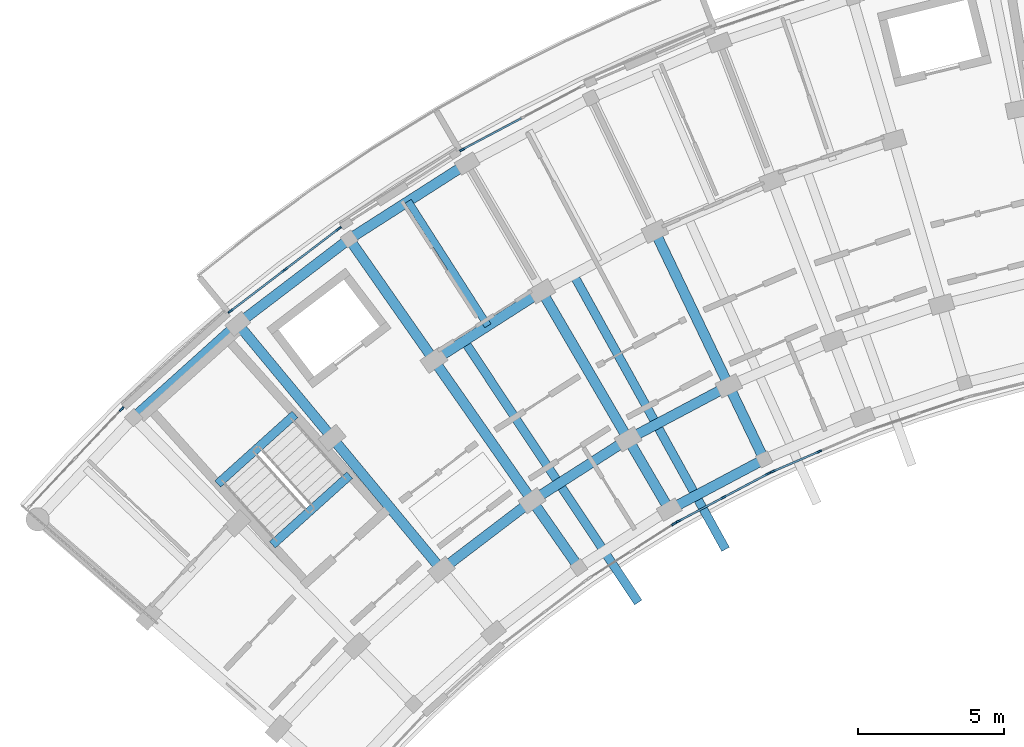
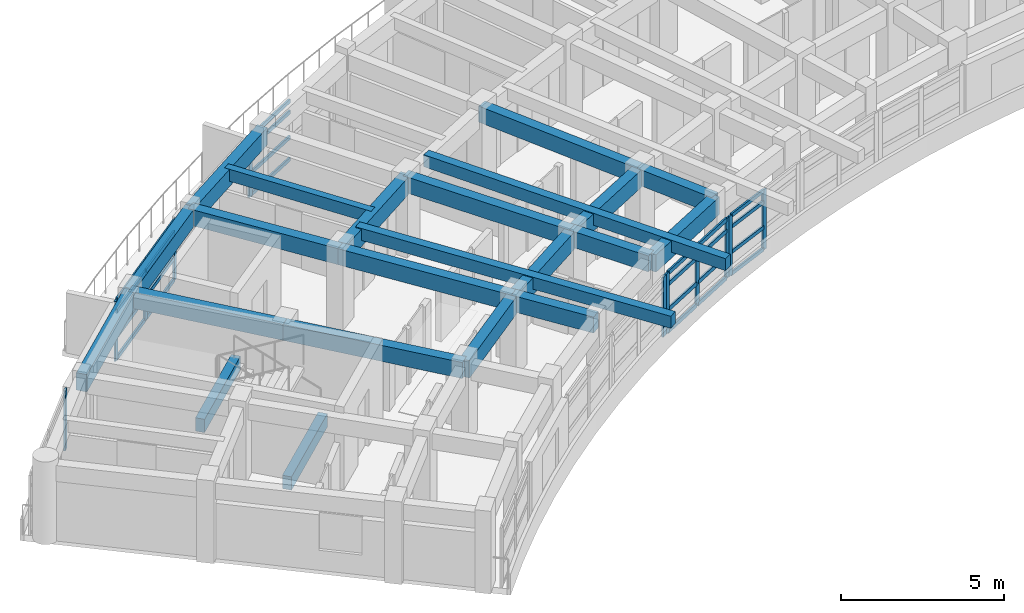
# One storey, part 4 of 55: 35 members, 22 beams, 6 elements without a shape of their own.
"""IFC4 building model written with IfcOpenShell, lengths in metres."""

import ifcopenshell
import ifcopenshell.guid

model = None  # the IFC model being written
_history = None  # IfcOwnerHistory: only IFC2X3 demands one
_inside = {}  # id of a spatial element -> (the spatial element, [elements in it])
_under = {}  # id of a project, library or spatial element -> (it, [spatial elements below it])
_declared = {}  # id of a project -> (the project, [libraries it declares])
_typed = {}  # id of a type object -> (the type object, [elements of that type])
_made_of = {}  # id of a material, layer set ... -> (it, [elements and type objects made of it])


def new_model(schema):
    """Start an empty IFC model of exactly this schema.

    Asked for "IFC4X3", IfcOpenShell would pick the latest addendum, in which some entities
    have other attributes; the version numbers below select the first issue.
    IFC2X3 requires an IfcOwnerHistory on every rooted entity: one is made here for all.
    """
    global model, _history
    if schema == "IFC4X3":
        model = ifcopenshell.file(schema_version=(4, 3, 0, 0))
    else:
        model = ifcopenshell.file(schema=schema)
    _inside.clear()
    _under.clear()
    _declared.clear()
    _typed.clear()
    _made_of.clear()
    _history = None
    if model.schema == "IFC2X3":
        org = make("IfcOrganization", Name="unknown")
        user = make(
            "IfcPersonAndOrganization",
            ThePerson=make("IfcPerson", FamilyName="unknown"),
            TheOrganization=org,
        )
        app = make(
            "IfcApplication",
            ApplicationDeveloper=org,
            Version="unknown",
            ApplicationFullName="unknown",
            ApplicationIdentifier="unknown",
        )
        _history = make(
            "IfcOwnerHistory",
            OwningUser=user,
            OwningApplication=app,
            ChangeAction="ADDED",
            CreationDate=0,
        )
    return model


def make(cls, **values):
    """One entity of the class cls with the attributes given. An attribute that is None is left unset."""
    return model.create_entity(
        cls, **{name: value for name, value in values.items() if value is not None}
    )


def rooted(cls, **values):
    """An entity with a GlobalId (a new one), such as an element, a storey or a relation."""
    return make(cls, GlobalId=ifcopenshell.guid.new(), OwnerHistory=_history, **values)


def si_unit(unit_type, name, prefix=None):
    """IfcSIUnit, for example si_unit("LENGTHUNIT", "METRE", prefix="MILLI")."""
    return make("IfcSIUnit", UnitType=unit_type, Prefix=prefix, Name=name)


def assignment(units):
    """IfcUnitAssignment: the units of a project."""
    return None if units is None else make("IfcUnitAssignment", Units=units)


def point(xyz):
    """IfcCartesianPoint."""
    return None if xyz is None else make("IfcCartesianPoint", Coordinates=xyz)


def direction(xyz):
    """IfcDirection."""
    return None if xyz is None else make("IfcDirection", DirectionRatios=xyz)


def frame(location, z_axis=None, x_axis=None):
    """IfcAxis2Placement3D, a coordinate frame: its origin and axes. An axis left out is left unset."""
    return make(
        "IfcAxis2Placement3D",
        Location=point(location),
        Axis=direction(z_axis),
        RefDirection=direction(x_axis),
    )


def frame_2d(location, x_axis=None):
    """IfcAxis2Placement2D, a coordinate frame in the plane: its origin and x axis."""
    return make(
        "IfcAxis2Placement2D", Location=point(location), RefDirection=direction(x_axis)
    )


def origin():
    """The frame at (0, 0, 0) with its axes left unset."""
    return frame((0.0, 0.0, 0.0))


def origin_2d():
    """The frame at (0, 0) in the plane with its x axis left unset."""
    return frame_2d((0.0, 0.0))


def place(relative_to, where):
    """IfcLocalPlacement: puts the frame where relative to a parent placement (None: the world)."""
    return make(
        "IfcLocalPlacement", PlacementRelTo=relative_to, RelativePlacement=where
    )


def context(
    kind, dimensions, precision=None, world=None, true_north=None, identifier=None
):
    """IfcGeometricRepresentationContext, for example the 3D "Model" context."""
    return make(
        "IfcGeometricRepresentationContext",
        ContextIdentifier=identifier,
        ContextType=kind,
        CoordinateSpaceDimension=dimensions,
        Precision=precision,
        WorldCoordinateSystem=world,
        TrueNorth=true_north,
    )


def subcontext(parent, identifier, kind, view, scale=None):
    """IfcGeometricRepresentationSubContext, for example "Body" below "Model"."""
    return make(
        "IfcGeometricRepresentationSubContext",
        ContextIdentifier=identifier,
        ContextType=kind,
        ParentContext=parent,
        TargetScale=scale,
        TargetView=view,
    )


def project(units=None, contexts=None):
    """IfcProject with its units and contexts."""
    return rooted(
        "IfcProject",
        Name="project",
        RepresentationContexts=contexts,
        UnitsInContext=assignment(units),
    )


def spatial(cls, under=None, at=None, **own):
    """A site, building, storey or space (cls), placed at a placement, below another one or the project."""
    s = rooted(cls, ObjectPlacement=at, **own)
    if under is not None:
        _under.setdefault(under.id(), (under, []))[1].append(s)
    return s


def profile(cls, at=None, kind="AREA", **sizes):
    """A parametric profile (cls). Its sizes go by their IFC names, for example OverallWidth=200.0."""
    return make(cls, ProfileType=kind, Position=at, **sizes)


def rectangle(**sizes):
    """IfcRectangleProfileDef."""
    return profile("IfcRectangleProfileDef", **sizes)


def extrude(swept, where, along, depth):
    """IfcExtrudedAreaSolid: the profile swept, set in the frame where, extruded along a direction by depth."""
    return make(
        "IfcExtrudedAreaSolid",
        SweptArea=swept,
        Position=where,
        ExtrudedDirection=direction(along),
        Depth=depth,
    )


def shape(context_of_items, identifier, shape_type, items):
    """IfcShapeRepresentation: the items that make up one representation, for example the "Body"."""
    return make(
        "IfcShapeRepresentation",
        ContextOfItems=context_of_items,
        RepresentationIdentifier=identifier,
        RepresentationType=shape_type,
        Items=items,
    )


def material(Name=None, Category=None):
    """IfcMaterial."""
    return make("IfcMaterial", Name=Name, Category=Category)


def material_profile(
    of_material, cross_section, Name=None, Category=None, Priority=None
):
    """IfcMaterialProfile: a cross section and its material."""
    return make(
        "IfcMaterialProfile",
        Name=Name,
        Material=of_material,
        Profile=cross_section,
        Priority=Priority,
        Category=Category,
    )


def profile_set(profiles, Name=None, composite=None):
    """IfcMaterialProfileSet."""
    return make(
        "IfcMaterialProfileSet",
        Name=Name,
        MaterialProfiles=profiles,
        CompositeProfile=composite,
    )


def made_of(thing, what):
    """Note that an element or type object is made of a material, layer set ...; save() writes the relation."""
    if what is not None:
        _made_of.setdefault(what.id(), (what, []))[1].append(thing)
    return thing


def type_object(cls, material=None, **own):
    """A type object (cls), such as IfcWallType, which elements share."""
    return made_of(rooted(cls, **own), material)


def element(
    cls,
    number,
    at=None,
    inside=None,
    cuts=None,
    type_object=None,
    material=None,
    context=None,
    identifier="Body",
    shape_type=None,
    held_by="IfcProductDefinitionShape",
    body=None,
    shapes=None,
    **own,
):
    """One element of the class cls, such as IfcWall. Its Tag is "e" and its number.

    at: its placement. inside: the storey or other place that contains it. cuts: it is an
    opening in that element (IfcRelVoidsElement). A single representation is given by context,
    identifier, shape_type and body (its items); several are given by shapes. held_by: the class
    of the entity that holds the representations. save() writes the other relations.
    """
    e = rooted(cls, Tag="e%d" % number, ObjectPlacement=at, **own)
    if body is not None:
        shapes = [shape(context, identifier, shape_type, body)]
    if shapes is not None:
        e.Representation = make(held_by, Representations=shapes)
    if inside is not None:
        _inside.setdefault(inside.id(), (inside, []))[1].append(e)
    if cuts is not None:
        rooted(
            "IfcRelVoidsElement", RelatingBuildingElement=cuts, RelatedOpeningElement=e
        )
    if type_object is not None:
        _typed.setdefault(type_object.id(), (type_object, []))[1].append(e)
    return made_of(e, material)


def aggregate(whole, parts):
    """IfcRelAggregates: a whole, such as a stair, and the parts it consists of."""
    return rooted("IfcRelAggregates", RelatingObject=whole, RelatedObjects=parts)


def save(model, path):
    """Write the relations noted so far, then the file.

    IfcRelAggregates (storeys below a building ...), IfcRelContainedInSpatialStructure (elements
    in a storey), IfcRelDefinesByType, IfcRelAssociatesMaterial and IfcRelDeclares: one each for
    every whole, place, type object, material and project.
    """
    for whole, parts in _under.values():
        aggregate(whole, parts)
    for where, things in _inside.values():
        rooted(
            "IfcRelContainedInSpatialStructure",
            RelatedElements=things,
            RelatingStructure=where,
        )
    for kind, things in _typed.values():
        rooted("IfcRelDefinesByType", RelatedObjects=things, RelatingType=kind)
    for what, things in _made_of.values():
        rooted("IfcRelAssociatesMaterial", RelatedObjects=things, RelatingMaterial=what)
    for by, libraries in _declared.values():
        rooted("IfcRelDeclares", RelatingContext=by, RelatedDefinitions=libraries)
    model.write(path)


model = new_model("IFC4")

# Units and contexts
model_context = context("Model", 3, precision=1e-05, world=origin(), true_north=direction((0.0, 1.0)))
body_context = subcontext(model_context, "Body", "Model", "MODEL_VIEW")
ifc_project = project(units=[si_unit("LENGTHUNIT", "METRE"), si_unit("AREAUNIT", "SQUARE_METRE"), si_unit("VOLUMEUNIT", "CUBIC_METRE"), si_unit("PLANEANGLEUNIT", "RADIAN"), si_unit("MASSUNIT", "GRAM", prefix="KILO")], contexts=[model_context])

# Site, building, storey
site_placement = place(None, origin())
site = spatial("IfcSite", under=ifc_project, at=site_placement, CompositionType="ELEMENT")
building_placement = place(site_placement, origin())
building = spatial("IfcBuilding", under=site, at=building_placement, Name="Zimvara Arc Housing Community", CompositionType="ELEMENT")
storey_placement = place(building_placement, frame((0.0, 0.0, 14.300048828125)))
storey = spatial("IfcBuildingStorey", under=building, at=storey_placement, Name="L04", CompositionType="ELEMENT", Elevation=14.300048828125)

# Beams
ifc_material_1 = material(Name="Concrete C40/50", Category="concrete")
ifc_material_profile_1 = material_profile(ifc_material_1, rectangle(XDim=0.25, YDim=0.449951171875, at=origin_2d()), Name="RC 250x450")
ifc_profile_set_1 = profile_set([ifc_material_profile_1], Name="Concrete C40/50")
beam_type_1 = type_object("IfcBeamType", Name="BM-RC-250x450", PredefinedType="JOIST", material=ifc_profile_set_1)
beam_1_placement = place(storey_placement, frame((16.0224609375, 89.776123046875, 2.635009765625), z_axis=(-0.539052331508, 0.842272274206, 0.0), x_axis=(-0.842272274206, -0.539052331508, 0.0)))
element("IfcBeam", 1, at=beam_1_placement, inside=storey, type_object=beam_type_1, Name="bm:blkA:L04:joist:b3", PredefinedType="JOIST", context=body_context, shape_type="SweptSolid", body=[
    extrude(rectangle(XDim=0.25, YDim=0.449951171875, at=origin_2d()), origin(), (0.0, 0.0, 1.0), 5.07568359375),
])
ifc_material_2 = material(Name="Concrete C40/50", Category="concrete")
ifc_material_profile_2 = material_profile(ifc_material_2, rectangle(XDim=0.300048828125, YDim=0.449951171875, at=origin_2d()), Name="RC 300x450")
ifc_profile_set_2 = profile_set([ifc_material_profile_2], Name="Concrete C40/50")
beam_type_2 = type_object("IfcBeamType", Name="BM-RC-300x450", PredefinedType="JOIST", material=ifc_profile_set_2)
for number, where, z_axis, x_axis, name in (
    (2, (15.188720703125, 89.285400390625, 2.6650390625), (0.55411687771, -0.832438878139, 0.0), (0.832438878139, 0.55411687771, 0.0), "bm:blkA:L04:cant_in:b3"),
    (3, (18.942138671875, 91.568359375, 2.6650390625), (0.484356901768, -0.874870499965, 0.0), (0.874870499965, 0.484356901768, 0.0), "bm:blkA:L04:cant_in:b4"),
):
    element("IfcBeam", number, at=place(storey_placement, frame(where, z_axis=z_axis, x_axis=x_axis)), inside=storey, type_object=beam_type_2, Name=name, PredefinedType="JOIST", context=body_context, shape_type="SweptSolid", body=[
        extrude(rectangle(XDim=0.300048828125, YDim=0.449951171875, at=origin_2d()), origin(), (0.0, 0.0, 1.0), 10.820068359375),
    ])
ifc_material_3 = material(Name="Concrete C40/50", Category="concrete")
ifc_material_profile_3 = material_profile(ifc_material_3, rectangle(XDim=0.300048828125, YDim=0.5, at=origin_2d()), Name="RC 300x500")
ifc_profile_set_3 = profile_set([ifc_material_profile_3], Name="Concrete C40/50")
beam_type_3 = type_object("IfcBeamType", Name="BM-RC-300x500", PredefinedType="BEAM", material=ifc_profile_set_3)
for number, where, z_axis, x_axis, name in (
    (4, (11.278076171875, 84.64697265625, -0.25), (-0.743362151162, -0.668889162881, 0.0), (0.668889162881, -0.743362151162, 0.0), "bm:stair_trim:ST-A1:L04:near"),
    (5, (9.39990234375, 86.734375, 1.300048828125), (-0.743362151162, -0.668889162881, 0.0), (0.668889162881, -0.743362151162, 0.0), "bm:stair_trim:ST-A1:L04:mid"),
):
    element("IfcBeam", number, at=place(storey_placement, frame(where, z_axis=z_axis, x_axis=x_axis)), inside=storey, type_object=beam_type_3, Name=name, PredefinedType="BEAM", context=body_context, shape_type="SweptSolid", body=[
        extrude(rectangle(XDim=0.300048828125, YDim=0.5, at=origin_2d()), origin(), (0.0, 0.0, 1.0), 3.570068359375),
    ])
ifc_material_4 = material(Name="Concrete C40/50", Category="concrete")
ifc_material_profile_4 = material_profile(ifc_material_4, rectangle(XDim=0.35009765625, YDim=0.60009765625, at=origin_2d()), Name="RC 350x600")
ifc_profile_set_4 = profile_set([ifc_material_profile_4], Name="Concrete C40/50")
beam_type_4 = type_object("IfcBeamType", Name="BM-RC-350x600", PredefinedType="BEAM", material=ifc_profile_set_4)
beam_2_placement = place(storey_placement, frame((14.428955078125, 81.401611328125, 2.56005859375), z_axis=(-0.637955964415, 0.770072845559, 0.0), x_axis=(-0.770072845559, -0.637955964415, 0.0)))
element("IfcBeam", 6, at=beam_2_placement, inside=storey, type_object=beam_type_4, Name="bm:blkA:L04:rad:b2:r12", PredefinedType="BEAM", context=body_context, shape_type="SweptSolid", body=[
    extrude(rectangle(XDim=0.35009765625, YDim=0.60009765625, at=origin_2d()), origin(), (0.0, 0.0, 1.0), 5.880126953125),
])
beam_3_placement = place(storey_placement, frame((10.677734375, 85.9296875, 2.56005859375), z_axis=(-0.637983669165, 0.77004989311, 0.0), x_axis=(-0.77004989311, -0.637983669165, 0.0)))
element("IfcBeam", 7, at=beam_3_placement, inside=storey, type_object=beam_type_4, Name="bm:blkA:L04:rad:b2:r23", PredefinedType="BEAM", context=body_context, shape_type="SweptSolid", body=[
    extrude(rectangle(XDim=0.35009765625, YDim=0.60009765625, at=origin_2d()), origin(), (0.0, 0.0, 1.0), 5.080078125),
])
beam_4_placement = place(storey_placement, frame((19.14599609375, 81.478271484375, 2.56005859375), z_axis=(-0.57297651105, 0.819571789281, 0.0), x_axis=(-0.819571789281, -0.57297651105, 0.0)))
element("IfcBeam", 8, at=beam_4_placement, inside=storey, type_object=beam_type_4, Name="bm:blkA:L04:rad:b3:r01", PredefinedType="BEAM", context=body_context, shape_type="SweptSolid", body=[
    extrude(rectangle(XDim=0.35009765625, YDim=0.60009765625, at=origin_2d()), origin(), (0.0, 0.0, 1.0), 2.7998046875),
])
beam_5_placement = place(storey_placement, frame((17.541748046875, 83.77294921875, 2.56005859375), z_axis=(-0.573027549978, 0.819536104736, 0.0), x_axis=(-0.819536104736, -0.573027549978, 0.0)))
element("IfcBeam", 9, at=beam_5_placement, inside=storey, type_object=beam_type_4, Name="bm:blkA:L04:rad:b3:r12", PredefinedType="BEAM", context=body_context, shape_type="SweptSolid", body=[
    extrude(rectangle(XDim=0.35009765625, YDim=0.60009765625, at=origin_2d()), origin(), (0.0, 0.0, 1.0), 5.8798828125),
])
beam_6_placement = place(storey_placement, frame((14.17236328125, 88.591796875, 2.56005859375), z_axis=(-0.573007469479, 0.819550144848, 0.0), x_axis=(-0.819550144848, -0.573007469479, 0.0)))
element("IfcBeam", 10, at=beam_6_placement, inside=storey, type_object=beam_type_4, Name="bm:blkA:L04:rad:b3:r23", PredefinedType="BEAM", context=body_context, shape_type="SweptSolid", body=[
    extrude(rectangle(XDim=0.35009765625, YDim=0.60009765625, at=origin_2d()), origin(), (0.0, 0.0, 1.0), 5.080078125),
])
beam_7_placement = place(storey_placement, frame((22.249267578125, 83.46435546875, 2.56005859375), z_axis=(-0.504239631668, 0.86356377521, 0.0), x_axis=(-0.86356377521, -0.504239631668, 0.0)))
element("IfcBeam", 11, at=beam_7_placement, inside=storey, type_object=beam_type_4, Name="bm:blkA:L04:rad:b4:r01", PredefinedType="BEAM", context=body_context, shape_type="SweptSolid", body=[
    extrude(rectangle(XDim=0.35009765625, YDim=0.60009765625, at=origin_2d()), origin(), (0.0, 0.0, 1.0), 2.800048828125),
])
beam_8_placement = place(storey_placement, frame((20.83740234375, 85.88232421875, 2.56005859375), z_axis=(-0.504219494781, 0.863575532934, 0.0), x_axis=(-0.863575532934, -0.504219494781, 0.0)))
element("IfcBeam", 12, at=beam_8_placement, inside=storey, type_object=beam_type_4, Name="bm:blkA:L04:rad:b4:r12", PredefinedType="BEAM", context=body_context, shape_type="SweptSolid", body=[
    extrude(rectangle(XDim=0.35009765625, YDim=0.60009765625, at=origin_2d()), origin(), (0.0, 0.0, 1.0), 5.880126953125),
])
beam_9_placement = place(storey_placement, frame((25.50439453125, 85.190673828125, 2.56005859375), z_axis=(-0.432118703138, 0.901816736593, 0.0), x_axis=(-0.901816736593, -0.432118703138, 0.0)))
element("IfcBeam", 13, at=beam_9_placement, inside=storey, type_object=beam_type_4, Name="bm:blkA:L04:rad:b5:r01", PredefinedType="BEAM", context=body_context, shape_type="SweptSolid", body=[
    extrude(rectangle(XDim=0.35009765625, YDim=0.60009765625, at=origin_2d()), origin(), (0.0, 0.0, 1.0), 2.800048828125),
])
beam_10_placement = place(storey_placement, frame((24.29443359375, 87.7158203125, 2.56005859375), z_axis=(-0.432069527705, 0.901840298073, 0.0), x_axis=(-0.901840298073, -0.432069527705, 0.0)))
element("IfcBeam", 14, at=beam_10_placement, inside=storey, type_object=beam_type_4, Name="bm:blkA:L04:rad:b5:r12", PredefinedType="BEAM", context=body_context, shape_type="SweptSolid", body=[
    extrude(rectangle(XDim=0.35009765625, YDim=0.60009765625, at=origin_2d()), origin(), (0.0, 0.0, 1.0), 5.8798828125),
])
ifc_material_5 = material(Name="Concrete C40/50", Category="concrete")
ifc_material_profile_5 = material_profile(ifc_material_5, rectangle(XDim=0.35009765625, YDim=0.64990234375, at=origin_2d()), Name="RC 350x650")
ifc_profile_set_5 = profile_set([ifc_material_profile_5], Name="Concrete C40/50")
beam_type_5 = type_object("IfcBeamType", Name="BM-RC-350x650", PredefinedType="BEAM", material=ifc_profile_set_5)
beam_11_placement = place(storey_placement, frame((22.249267578125, 83.46435546875, 2.534912109375), z_axis=(0.883449220086, 0.468526920815, 0.0), x_axis=(-0.468526920815, 0.883449220086, 0.0)))
element("IfcBeam", 15, at=beam_11_placement, inside=storey, type_object=beam_type_5, Name="bm:blkA:L04:chord:r0:b4", PredefinedType="BEAM", context=body_context, shape_type="SweptSolid", body=[
    extrude(rectangle(XDim=0.35009765625, YDim=0.64990234375, at=origin_2d()), origin(), (0.0, 0.0, 1.0), 3.6845703125),
])
beam_12_placement = place(storey_placement, frame((14.428955078125, 81.401611328125, 2.534912109375), z_axis=(0.795470387579, 0.605992460749, 0.0), x_axis=(-0.605992460749, 0.795470387579, 0.0)))
element("IfcBeam", 16, at=beam_12_placement, inside=storey, type_object=beam_type_5, Name="bm:blkA:L04:chord:r1:b2", PredefinedType="BEAM", context=body_context, shape_type="SweptSolid", body=[
    extrude(rectangle(XDim=0.35009765625, YDim=0.64990234375, at=origin_2d()), origin(), (0.0, 0.0, 1.0), 3.9130859375),
])
beam_13_placement = place(storey_placement, frame((17.541748046875, 83.77294921875, 2.534912109375), z_axis=(0.842253269878, 0.539082024724, 0.0), x_axis=(-0.539082024724, 0.842253269878, 0.0)))
element("IfcBeam", 17, at=beam_13_placement, inside=storey, type_object=beam_type_5, Name="bm:blkA:L04:chord:r1:b3", PredefinedType="BEAM", context=body_context, shape_type="SweptSolid", body=[
    extrude(rectangle(XDim=0.35009765625, YDim=0.64990234375, at=origin_2d()), origin(), (0.0, 0.0, 1.0), 3.912841796875),
])
beam_14_placement = place(storey_placement, frame((20.83740234375, 85.88232421875, 2.534912109375), z_axis=(0.883438625159, 0.468546897948, 0.0), x_axis=(-0.468546897948, 0.883438625159, 0.0)))
element("IfcBeam", 18, at=beam_14_placement, inside=storey, type_object=beam_type_5, Name="bm:blkA:L04:chord:r1:b4", PredefinedType="BEAM", context=body_context, shape_type="SweptSolid", body=[
    extrude(rectangle(XDim=0.35009765625, YDim=0.64990234375, at=origin_2d()), origin(), (0.0, 0.0, 1.0), 3.9130859375),
])
beam_15_placement = place(storey_placement, frame((14.17236328125, 88.591796875, 2.534912109375), z_axis=(0.842242131326, 0.539099427025, 0.0), x_axis=(-0.539099427025, 0.842242131326, 0.0)))
element("IfcBeam", 19, at=beam_15_placement, inside=storey, type_object=beam_type_5, Name="bm:blkA:L04:chord:r2:b3", PredefinedType="BEAM", context=body_context, shape_type="SweptSolid", body=[
    extrude(rectangle(XDim=0.35009765625, YDim=0.64990234375, at=origin_2d()), origin(), (0.0, 0.0, 1.0), 4.393310546875),
])
beam_16_placement = place(storey_placement, frame((3.862548828125, 86.625732421875, 2.534912109375), z_axis=(0.743395133402, 0.668852506637, 0.0), x_axis=(-0.668852506637, 0.743395133402, 0.0)))
element("IfcBeam", 20, at=beam_16_placement, inside=storey, type_object=beam_type_5, Name="bm:blkA:L04:chord:r3:b1", PredefinedType="BEAM", context=body_context, shape_type="SweptSolid", body=[
    extrude(rectangle(XDim=0.35009765625, YDim=0.64990234375, at=origin_2d()), origin(), (0.0, 0.0, 1.0), 4.807861328125),
])
beam_17_placement = place(storey_placement, frame((7.436767578125, 89.841552734375, 2.534912109375), z_axis=(0.795480673672, 0.605978958228, 0.0), x_axis=(-0.605978958228, 0.795480673672, 0.0)))
element("IfcBeam", 21, at=beam_17_placement, inside=storey, type_object=beam_type_5, Name="bm:blkA:L04:chord:r3:b2", PredefinedType="BEAM", context=body_context, shape_type="SweptSolid", body=[
    extrude(rectangle(XDim=0.35009765625, YDim=0.64990234375, at=origin_2d()), origin(), (0.0, 0.0, 1.0), 4.80810546875),
])
beam_18_placement = place(storey_placement, frame((11.261474609375, 92.755126953125, 2.534912109375), z_axis=(0.842255724028, 0.539078190379, 0.0), x_axis=(-0.539078190379, 0.842255724028, 0.0)))
element("IfcBeam", 22, at=beam_18_placement, inside=storey, type_object=beam_type_5, Name="bm:blkA:L04:chord:r3:b3", PredefinedType="BEAM", context=body_context, shape_type="SweptSolid", body=[
    extrude(rectangle(XDim=0.35009765625, YDim=0.64990234375, at=origin_2d()), origin(), (0.0, 0.0, 1.0), 4.808349609375),
])

# Curtain wall, member
ifc_material_6 = material(Name="Anodised Aluminium AW-6063", Category="aluminium")
curtain_wall_type_1 = type_object("IfcCurtainWallType", Name="CW-SYS-02", PredefinedType="USERDEFINED", material=ifc_material_6)
curtain_wall_1_placement = place(storey_placement, origin())
curtain_wall_1 = element("IfcCurtainWall", 23, at=curtain_wall_1_placement, inside=storey, type_object=curtain_wall_type_1, Name="cw:blkA:L04:out:b4", ObjectType="CURTAIN WALL", PredefinedType="USERDEFINED")
ifc_material_7 = material(Name="Anodised Aluminium AW-6063", Category="aluminium")
ifc_material_profile_6 = material_profile(ifc_material_7, rectangle(XDim=0.06494140625, YDim=0.179931640625, at=origin_2d()), Name="ALU 65x180")
ifc_profile_set_6 = profile_set([ifc_material_profile_6], Name="Anodised Aluminium AW-6063")
member_type_1 = type_object("IfcMemberType", Name="CWM-65x150", PredefinedType="MULLION", material=ifc_profile_set_6)
member_1_placement = place(storey_placement, frame((15.140869140625, 95.822265625, 0.0), z_axis=(0.0, 0.0, 1.0), x_axis=(-0.468546917761, 0.883438614651, 0.0)))
member_1 = element("IfcMember", 24, at=member_1_placement, type_object=member_type_1, Name="CW02 mullion 1", PredefinedType="MULLION", context=body_context, shape_type="SweptSolid", body=[
    extrude(rectangle(XDim=0.06494140625, YDim=0.179931640625, at=origin_2d()), origin(), (0.0, 0.0, 1.0), 2.25),
])

# Curtain wall, members
ifc_material_8 = material(Name="Anodised Aluminium AW-6063", Category="aluminium")
curtain_wall_type_2 = type_object("IfcCurtainWallType", Name="CW-SYS-04", PredefinedType="USERDEFINED", material=ifc_material_8)
curtain_wall_2_placement = place(storey_placement, origin())
curtain_wall_2 = element("IfcCurtainWall", 25, at=curtain_wall_2_placement, inside=storey, type_object=curtain_wall_type_2, Name="cw:blkA:L04:in:b5", ObjectType="CURTAIN WALL", PredefinedType="USERDEFINED")
member_2_placement = place(storey_placement, frame((25.805419921875, 84.7763671875, 0.0), z_axis=(0.0, 0.0, 1.0), x_axis=(-0.394904493375, 0.918722178415, 0.0)))
member_2 = element("IfcMember", 26, at=member_2_placement, type_object=member_type_1, Name="CW04 mullion 1", PredefinedType="MULLION", context=body_context, shape_type="SweptSolid", body=[
    extrude(rectangle(XDim=0.06494140625, YDim=0.179931640625, at=origin_2d()), origin(), (0.0, 0.0, 1.0), 2.25),
])
member_3_placement = place(storey_placement, frame((27.39404296875, 85.459228515625, 0.0), z_axis=(0.0, 0.0, 1.0), x_axis=(-0.394904493375, 0.918722178415, 0.0)))
member_3 = element("IfcMember", 27, at=member_3_placement, type_object=member_type_1, Name="CW04 mullion 2", PredefinedType="MULLION", context=body_context, shape_type="SweptSolid", body=[
    extrude(rectangle(XDim=0.06494140625, YDim=0.179931640625, at=origin_2d()), origin(), (0.0, 0.0, 1.0), 2.25),
])

# Curtain wall, member
ifc_material_9 = material(Name="Anodised Aluminium AW-6063", Category="aluminium")
curtain_wall_type_3 = type_object("IfcCurtainWallType", Name="CW-SYS-05", PredefinedType="USERDEFINED", material=ifc_material_9)
curtain_wall_3_placement = place(storey_placement, origin())
curtain_wall_3 = element("IfcCurtainWall", 28, at=curtain_wall_3_placement, inside=storey, type_object=curtain_wall_type_3, Name="cw:blkA:L04:out:b0", ObjectType="CURTAIN WALL", PredefinedType="USERDEFINED")
ifc_material_10 = material(Name="Anodised Aluminium AW-6063", Category="aluminium")
ifc_material_profile_7 = material_profile(ifc_material_10, rectangle(XDim=0.06494140625, YDim=0.195068359375, at=origin_2d()), Name="ALU 65x195")
ifc_profile_set_7 = profile_set([ifc_material_profile_7], Name="Anodised Aluminium AW-6063")
member_type_2 = type_object("IfcMemberType", Name="CWM-65x180", PredefinedType="MULLION", material=ifc_profile_set_7)
member_4_placement = place(storey_placement, frame((3.44970703125, 86.916015625, 0.0), z_axis=(0.0, 0.0, 1.0), x_axis=(-0.727293647725, 0.686326416495, 0.0)))
member_4 = element("IfcMember", 29, at=member_4_placement, type_object=member_type_2, Name="CW05 mullion 3", PredefinedType="MULLION", context=body_context, shape_type="SweptSolid", body=[
    extrude(rectangle(XDim=0.06494140625, YDim=0.195068359375, at=origin_2d()), origin(), (0.0, 0.0, 1.0), 2.25),
])
aggregate(curtain_wall_3, [member_4])

# Curtain wall, members
ifc_material_11 = material(Name="Anodised Aluminium AW-6063", Category="aluminium")
curtain_wall_type_4 = type_object("IfcCurtainWallType", Name="CW-SYS-07", PredefinedType="USERDEFINED", material=ifc_material_11)
curtain_wall_4_placement = place(storey_placement, origin())
curtain_wall_4 = element("IfcCurtainWall", 30, at=curtain_wall_4_placement, inside=storey, type_object=curtain_wall_type_4, Name="cw:blkA:L04:out:b2", ObjectType="CURTAIN WALL", PredefinedType="USERDEFINED")
member_5_placement = place(storey_placement, frame((7.19140625, 90.28271484375, 0.0), z_axis=(0.0, 0.0, 1.0), x_axis=(-0.60598771987, 0.795473999177, 0.0)))
member_5 = element("IfcMember", 31, at=member_5_placement, type_object=member_type_2, Name="CW07 mullion 1", PredefinedType="MULLION", context=body_context, shape_type="SweptSolid", body=[
    extrude(rectangle(XDim=0.06494140625, YDim=0.195068359375, at=origin_2d()), origin(), (0.0, 0.0, 1.0), 2.25),
])
member_6_placement = place(storey_placement, frame((9.04638671875, 91.69580078125, 0.0), z_axis=(0.0, 0.0, 1.0), x_axis=(-0.60598771987, 0.795473999177, 0.0)))
member_6 = element("IfcMember", 32, at=member_6_placement, type_object=member_type_2, Name="CW07 mullion 2", PredefinedType="MULLION", context=body_context, shape_type="SweptSolid", body=[
    extrude(rectangle(XDim=0.06494140625, YDim=0.195068359375, at=origin_2d()), origin(), (0.0, 0.0, 1.0), 2.25),
])
member_7_placement = place(storey_placement, frame((10.9013671875, 93.10888671875, 0.0), z_axis=(0.0, 0.0, 1.0), x_axis=(-0.60598771987, 0.795473999177, 0.0)))
member_7 = element("IfcMember", 33, at=member_7_placement, type_object=member_type_2, Name="CW07 mullion 3", PredefinedType="MULLION", context=body_context, shape_type="SweptSolid", body=[
    extrude(rectangle(XDim=0.06494140625, YDim=0.195068359375, at=origin_2d()), origin(), (0.0, 0.0, 1.0), 2.25),
])

# Curtain wall, member
ifc_material_12 = material(Name="Anodised Aluminium AW-6063", Category="aluminium")
curtain_wall_type_5 = type_object("IfcCurtainWallType", Name="CW-SYS-01", PredefinedType="USERDEFINED", material=ifc_material_12)
curtain_wall_5_placement = place(storey_placement, origin())
curtain_wall_5 = element("IfcCurtainWall", 34, at=curtain_wall_5_placement, inside=storey, type_object=curtain_wall_type_5, Name="cw:blkA:L04:in:b3", ObjectType="CURTAIN WALL", PredefinedType="USERDEFINED")
member_8_placement = place(storey_placement, frame((22.423583984375, 82.982666015625, 0.0), z_axis=(0.0, 0.0, 1.0), x_axis=(-0.539064085203, 0.842264751752, 0.0)))
member_8 = element("IfcMember", 35, at=member_8_placement, type_object=member_type_2, Name="CW01 mullion 3", PredefinedType="MULLION", context=body_context, shape_type="SweptSolid", body=[
    extrude(rectangle(XDim=0.06494140625, YDim=0.195068359375, at=origin_2d()), origin(), (0.0, 0.0, 1.0), 2.25),
])
aggregate(curtain_wall_5, [member_8])

# Curtain wall, members
ifc_material_13 = material(Name="Anodised Aluminium AW-6063", Category="aluminium")
curtain_wall_type_6 = type_object("IfcCurtainWallType", Name="CW-SYS-03", PredefinedType="USERDEFINED", material=ifc_material_13)
curtain_wall_6_placement = place(storey_placement, origin())
curtain_wall_6 = element("IfcCurtainWall", 36, at=curtain_wall_6_placement, inside=storey, type_object=curtain_wall_type_6, Name="cw:blkA:L04:in:b4", ObjectType="CURTAIN WALL", PredefinedType="USERDEFINED")
member_9_placement = place(storey_placement, frame((22.583251953125, 83.075927734375, 0.0), z_axis=(0.0, 0.0, 1.0), x_axis=(-0.468544648573, 0.88343981815, 0.0)))
member_9 = element("IfcMember", 37, at=member_9_placement, type_object=member_type_2, Name="CW03 mullion 1", PredefinedType="MULLION", context=body_context, shape_type="SweptSolid", body=[
    extrude(rectangle(XDim=0.06494140625, YDim=0.195068359375, at=origin_2d()), origin(), (0.0, 0.0, 1.0), 2.25),
])
member_10_placement = place(storey_placement, frame((24.11083984375, 83.88623046875, 0.0), z_axis=(0.0, 0.0, 1.0), x_axis=(-0.468544648573, 0.88343981815, 0.0)))
member_10 = element("IfcMember", 38, at=member_10_placement, type_object=member_type_2, Name="CW03 mullion 2", PredefinedType="MULLION", context=body_context, shape_type="SweptSolid", body=[
    extrude(rectangle(XDim=0.06494140625, YDim=0.195068359375, at=origin_2d()), origin(), (0.0, 0.0, 1.0), 2.25),
])
member_11_placement = place(storey_placement, frame((25.638671875, 84.696533203125, 0.0), z_axis=(0.0, 0.0, 1.0), x_axis=(-0.468544648573, 0.88343981815, 0.0)))
member_11 = element("IfcMember", 39, at=member_11_placement, type_object=member_type_2, Name="CW03 mullion 3", PredefinedType="MULLION", context=body_context, shape_type="SweptSolid", body=[
    extrude(rectangle(XDim=0.06494140625, YDim=0.195068359375, at=origin_2d()), origin(), (0.0, 0.0, 1.0), 2.25),
])

# Member
ifc_material_14 = material(Name="Anodised Aluminium AW-6063", Category="aluminium")
ifc_material_profile_8 = material_profile(ifc_material_14, rectangle(XDim=0.06494140625, YDim=0.139892578125, at=origin_2d()), Name="ALU 65x140")
ifc_profile_set_8 = profile_set([ifc_material_profile_8], Name="Anodised Aluminium AW-6063")
member_type_3 = type_object("IfcMemberType", Name="CWT-65x120", PredefinedType="USERDEFINED", material=ifc_profile_set_8)
member_12_placement = place(storey_placement, frame((15.16943359375, 95.83740234375, 0.032470703125), z_axis=(0.883420900208, 0.468580316568, 0.0), x_axis=(-0.468580316568, 0.883420900208, 0.0)))
member_12 = element("IfcMember", 40, at=member_12_placement, type_object=member_type_3, Name="CW02 transom 1.1", ObjectType="TRANSOM", PredefinedType="USERDEFINED", context=body_context, shape_type="SweptSolid", body=[
    extrude(rectangle(XDim=0.06494140625, YDim=0.139892578125, at=origin_2d()), origin(), (0.0, 0.0, 1.0), 2.266845703125),
])

member_13_placement = place(storey_placement, frame((15.16943359375, 95.83740234375, 0.849853515625), z_axis=(0.883420900208, 0.468580316568, 0.0), x_axis=(-0.468580316568, 0.883420900208, 0.0)))
member_13 = element("IfcMember", 41, at=member_13_placement, type_object=member_type_3, Name="CW02 transom 1.2", ObjectType="TRANSOM", PredefinedType="USERDEFINED", context=body_context, shape_type="SweptSolid", body=[
    extrude(rectangle(XDim=0.06494140625, YDim=0.139892578125, at=origin_2d()), origin(), (0.0, 0.0, 1.0), 2.266845703125),
])

member_14_placement = place(storey_placement, frame((15.16943359375, 95.83740234375, 1.800048828125), z_axis=(0.883420900208, 0.468580316568, 0.0), x_axis=(-0.468580316568, 0.883420900208, 0.0)))
member_14 = element("IfcMember", 42, at=member_14_placement, type_object=member_type_3, Name="CW02 transom 1.3", ObjectType="TRANSOM", PredefinedType="USERDEFINED", context=body_context, shape_type="SweptSolid", body=[
    extrude(rectangle(XDim=0.06494140625, YDim=0.139892578125, at=origin_2d()), origin(), (0.0, 0.0, 1.0), 2.266845703125),
])

member_15_placement = place(storey_placement, frame((15.16943359375, 95.83740234375, 2.217529296875), z_axis=(0.883420900208, 0.468580316568, 0.0), x_axis=(-0.468580316568, 0.883420900208, 0.0)))
member_15 = element("IfcMember", 43, at=member_15_placement, type_object=member_type_3, Name="CW02 transom 1.4", ObjectType="TRANSOM", PredefinedType="USERDEFINED", context=body_context, shape_type="SweptSolid", body=[
    extrude(rectangle(XDim=0.06494140625, YDim=0.139892578125, at=origin_2d()), origin(), (0.0, 0.0, 1.0), 2.266845703125),
])

aggregate(curtain_wall_1, [member_1, member_12, member_13, member_14, member_15])

member_16_placement = place(storey_placement, frame((25.835205078125, 84.7890625, 0.032470703125), z_axis=(0.918727202972, 0.394892803832, 0.0), x_axis=(-0.394892803832, 0.918727202972, 0.0)))
member_16 = element("IfcMember", 44, at=member_16_placement, type_object=member_type_3, Name="CW04 transom 1.1", ObjectType="TRANSOM", PredefinedType="USERDEFINED", context=body_context, shape_type="SweptSolid", body=[
    extrude(rectangle(XDim=0.06494140625, YDim=0.139892578125, at=origin_2d()), origin(), (0.0, 0.0, 1.0), 1.664306640625),
])

member_17_placement = place(storey_placement, frame((25.835205078125, 84.7890625, 0.849853515625), z_axis=(0.918727202972, 0.394892803832, 0.0), x_axis=(-0.394892803832, 0.918727202972, 0.0)))
member_17 = element("IfcMember", 45, at=member_17_placement, type_object=member_type_3, Name="CW04 transom 1.2", ObjectType="TRANSOM", PredefinedType="USERDEFINED", context=body_context, shape_type="SweptSolid", body=[
    extrude(rectangle(XDim=0.06494140625, YDim=0.139892578125, at=origin_2d()), origin(), (0.0, 0.0, 1.0), 1.664306640625),
])

member_18_placement = place(storey_placement, frame((25.835205078125, 84.7890625, 1.800048828125), z_axis=(0.918727202972, 0.394892803832, 0.0), x_axis=(-0.394892803832, 0.918727202972, 0.0)))
member_18 = element("IfcMember", 46, at=member_18_placement, type_object=member_type_3, Name="CW04 transom 1.3", ObjectType="TRANSOM", PredefinedType="USERDEFINED", context=body_context, shape_type="SweptSolid", body=[
    extrude(rectangle(XDim=0.06494140625, YDim=0.139892578125, at=origin_2d()), origin(), (0.0, 0.0, 1.0), 1.664306640625),
])

member_19_placement = place(storey_placement, frame((25.835205078125, 84.7890625, 2.217529296875), z_axis=(0.918727202972, 0.394892803832, 0.0), x_axis=(-0.394892803832, 0.918727202972, 0.0)))
member_19 = element("IfcMember", 47, at=member_19_placement, type_object=member_type_3, Name="CW04 transom 1.4", ObjectType="TRANSOM", PredefinedType="USERDEFINED", context=body_context, shape_type="SweptSolid", body=[
    extrude(rectangle(XDim=0.06494140625, YDim=0.139892578125, at=origin_2d()), origin(), (0.0, 0.0, 1.0), 1.664306640625),
])

aggregate(curtain_wall_2, [member_2, member_3, member_16, member_17, member_18, member_19])

ifc_material_15 = material(Name="Anodised Aluminium AW-6063", Category="aluminium")
ifc_material_profile_9 = material_profile(ifc_material_15, rectangle(XDim=0.06494140625, YDim=0.155029296875, at=origin_2d()), Name="ALU 65x155")
ifc_profile_set_9 = profile_set([ifc_material_profile_9], Name="Anodised Aluminium AW-6063")
member_type_4 = type_object("IfcMemberType", Name="CWT-65x140", PredefinedType="USERDEFINED", material=ifc_profile_set_9)
member_20_placement = place(storey_placement, frame((7.21728515625, 90.302490234375, 0.032470703125), z_axis=(0.795505886513, 0.605945859399, 0.0), x_axis=(-0.605945859399, 0.795505886513, 0.0)))
member_20 = element("IfcMember", 48, at=member_20_placement, type_object=member_type_4, Name="CW07 transom 1.1", ObjectType="TRANSOM", PredefinedType="USERDEFINED", context=body_context, shape_type="SweptSolid", body=[
    extrude(rectangle(XDim=0.06494140625, YDim=0.155029296875, at=origin_2d()), origin(), (0.0, 0.0, 1.0), 2.266845703125),
])

member_21_placement = place(storey_placement, frame((7.21728515625, 90.302490234375, 0.849853515625), z_axis=(0.795505886513, 0.605945859399, 0.0), x_axis=(-0.605945859399, 0.795505886513, 0.0)))
member_21 = element("IfcMember", 49, at=member_21_placement, type_object=member_type_4, Name="CW07 transom 1.2", ObjectType="TRANSOM", PredefinedType="USERDEFINED", context=body_context, shape_type="SweptSolid", body=[
    extrude(rectangle(XDim=0.06494140625, YDim=0.155029296875, at=origin_2d()), origin(), (0.0, 0.0, 1.0), 2.266845703125),
])

member_22_placement = place(storey_placement, frame((7.21728515625, 90.302490234375, 1.800048828125), z_axis=(0.795505886513, 0.605945859399, 0.0), x_axis=(-0.605945859399, 0.795505886513, 0.0)))
member_22 = element("IfcMember", 50, at=member_22_placement, type_object=member_type_4, Name="CW07 transom 1.3", ObjectType="TRANSOM", PredefinedType="USERDEFINED", context=body_context, shape_type="SweptSolid", body=[
    extrude(rectangle(XDim=0.06494140625, YDim=0.155029296875, at=origin_2d()), origin(), (0.0, 0.0, 1.0), 2.266845703125),
])

member_23_placement = place(storey_placement, frame((7.21728515625, 90.302490234375, 2.217529296875), z_axis=(0.795505886513, 0.605945859399, 0.0), x_axis=(-0.605945859399, 0.795505886513, 0.0)))
member_23 = element("IfcMember", 51, at=member_23_placement, type_object=member_type_4, Name="CW07 transom 1.4", ObjectType="TRANSOM", PredefinedType="USERDEFINED", context=body_context, shape_type="SweptSolid", body=[
    extrude(rectangle(XDim=0.06494140625, YDim=0.155029296875, at=origin_2d()), origin(), (0.0, 0.0, 1.0), 2.266845703125),
])

member_24_placement = place(storey_placement, frame((9.072265625, 91.715576171875, 0.032470703125), z_axis=(0.795453969776, 0.606014011363, 0.0), x_axis=(-0.606014011363, 0.795453969776, 0.0)))
member_24 = element("IfcMember", 52, at=member_24_placement, type_object=member_type_4, Name="CW07 transom 2.1", ObjectType="TRANSOM", PredefinedType="USERDEFINED", context=body_context, shape_type="SweptSolid", body=[
    extrude(rectangle(XDim=0.06494140625, YDim=0.155029296875, at=origin_2d()), origin(), (0.0, 0.0, 1.0), 2.266845703125),
])

member_25_placement = place(storey_placement, frame((9.072265625, 91.715576171875, 0.849853515625), z_axis=(0.795453969776, 0.606014011363, 0.0), x_axis=(-0.606014011363, 0.795453969776, 0.0)))
member_25 = element("IfcMember", 53, at=member_25_placement, type_object=member_type_4, Name="CW07 transom 2.2", ObjectType="TRANSOM", PredefinedType="USERDEFINED", context=body_context, shape_type="SweptSolid", body=[
    extrude(rectangle(XDim=0.06494140625, YDim=0.155029296875, at=origin_2d()), origin(), (0.0, 0.0, 1.0), 2.266845703125),
])

member_26_placement = place(storey_placement, frame((9.072265625, 91.715576171875, 1.800048828125), z_axis=(0.795453969776, 0.606014011363, 0.0), x_axis=(-0.606014011363, 0.795453969776, 0.0)))
member_26 = element("IfcMember", 54, at=member_26_placement, type_object=member_type_4, Name="CW07 transom 2.3", ObjectType="TRANSOM", PredefinedType="USERDEFINED", context=body_context, shape_type="SweptSolid", body=[
    extrude(rectangle(XDim=0.06494140625, YDim=0.155029296875, at=origin_2d()), origin(), (0.0, 0.0, 1.0), 2.266845703125),
])

member_27_placement = place(storey_placement, frame((9.072265625, 91.715576171875, 2.217529296875), z_axis=(0.795453969776, 0.606014011363, 0.0), x_axis=(-0.606014011363, 0.795453969776, 0.0)))
member_27 = element("IfcMember", 55, at=member_27_placement, type_object=member_type_4, Name="CW07 transom 2.4", ObjectType="TRANSOM", PredefinedType="USERDEFINED", context=body_context, shape_type="SweptSolid", body=[
    extrude(rectangle(XDim=0.06494140625, YDim=0.155029296875, at=origin_2d()), origin(), (0.0, 0.0, 1.0), 2.266845703125),
])

aggregate(curtain_wall_4, [member_5, member_6, member_7, member_20, member_21, member_22, member_23, member_24, member_25, member_26, member_27])

member_28_placement = place(storey_placement, frame((22.61181640625, 83.091064453125, 0.032470703125), z_axis=(0.883463021947, 0.468500895252, 0.0), x_axis=(-0.468500895252, 0.883463021947, 0.0)))
member_28 = element("IfcMember", 56, at=member_28_placement, type_object=member_type_4, Name="CW03 transom 1.1", ObjectType="TRANSOM", PredefinedType="USERDEFINED", context=body_context, shape_type="SweptSolid", body=[
    extrude(rectangle(XDim=0.06494140625, YDim=0.155029296875, at=origin_2d()), origin(), (0.0, 0.0, 1.0), 1.664306640625),
])

member_29_placement = place(storey_placement, frame((22.61181640625, 83.091064453125, 0.849853515625), z_axis=(0.883463021947, 0.468500895252, 0.0), x_axis=(-0.468500895252, 0.883463021947, 0.0)))
member_29 = element("IfcMember", 57, at=member_29_placement, type_object=member_type_4, Name="CW03 transom 1.2", ObjectType="TRANSOM", PredefinedType="USERDEFINED", context=body_context, shape_type="SweptSolid", body=[
    extrude(rectangle(XDim=0.06494140625, YDim=0.155029296875, at=origin_2d()), origin(), (0.0, 0.0, 1.0), 1.664306640625),
])

member_30_placement = place(storey_placement, frame((22.61181640625, 83.091064453125, 1.800048828125), z_axis=(0.883463021947, 0.468500895252, 0.0), x_axis=(-0.468500895252, 0.883463021947, 0.0)))
member_30 = element("IfcMember", 58, at=member_30_placement, type_object=member_type_4, Name="CW03 transom 1.3", ObjectType="TRANSOM", PredefinedType="USERDEFINED", context=body_context, shape_type="SweptSolid", body=[
    extrude(rectangle(XDim=0.06494140625, YDim=0.155029296875, at=origin_2d()), origin(), (0.0, 0.0, 1.0), 1.664306640625),
])

member_31_placement = place(storey_placement, frame((22.61181640625, 83.091064453125, 2.217529296875), z_axis=(0.883463021947, 0.468500895252, 0.0), x_axis=(-0.468500895252, 0.883463021947, 0.0)))
member_31 = element("IfcMember", 59, at=member_31_placement, type_object=member_type_4, Name="CW03 transom 1.4", ObjectType="TRANSOM", PredefinedType="USERDEFINED", context=body_context, shape_type="SweptSolid", body=[
    extrude(rectangle(XDim=0.06494140625, YDim=0.155029296875, at=origin_2d()), origin(), (0.0, 0.0, 1.0), 1.664306640625),
])

member_32_placement = place(storey_placement, frame((24.1396484375, 83.9013671875, 0.032470703125), z_axis=(0.8834308201, 0.468561613982, 0.0), x_axis=(-0.468561613982, 0.8834308201, 0.0)))
member_32 = element("IfcMember", 60, at=member_32_placement, type_object=member_type_4, Name="CW03 transom 2.1", ObjectType="TRANSOM", PredefinedType="USERDEFINED", context=body_context, shape_type="SweptSolid", body=[
    extrude(rectangle(XDim=0.06494140625, YDim=0.155029296875, at=origin_2d()), origin(), (0.0, 0.0, 1.0), 1.664306640625),
])

member_33_placement = place(storey_placement, frame((24.1396484375, 83.9013671875, 0.849853515625), z_axis=(0.8834308201, 0.468561613982, 0.0), x_axis=(-0.468561613982, 0.8834308201, 0.0)))
member_33 = element("IfcMember", 61, at=member_33_placement, type_object=member_type_4, Name="CW03 transom 2.2", ObjectType="TRANSOM", PredefinedType="USERDEFINED", context=body_context, shape_type="SweptSolid", body=[
    extrude(rectangle(XDim=0.06494140625, YDim=0.155029296875, at=origin_2d()), origin(), (0.0, 0.0, 1.0), 1.664306640625),
])

member_34_placement = place(storey_placement, frame((24.1396484375, 83.9013671875, 1.800048828125), z_axis=(0.8834308201, 0.468561613982, 0.0), x_axis=(-0.468561613982, 0.8834308201, 0.0)))
member_34 = element("IfcMember", 62, at=member_34_placement, type_object=member_type_4, Name="CW03 transom 2.3", ObjectType="TRANSOM", PredefinedType="USERDEFINED", context=body_context, shape_type="SweptSolid", body=[
    extrude(rectangle(XDim=0.06494140625, YDim=0.155029296875, at=origin_2d()), origin(), (0.0, 0.0, 1.0), 1.664306640625),
])

member_35_placement = place(storey_placement, frame((24.1396484375, 83.9013671875, 2.217529296875), z_axis=(0.8834308201, 0.468561613982, 0.0), x_axis=(-0.468561613982, 0.8834308201, 0.0)))
member_35 = element("IfcMember", 63, at=member_35_placement, type_object=member_type_4, Name="CW03 transom 2.4", ObjectType="TRANSOM", PredefinedType="USERDEFINED", context=body_context, shape_type="SweptSolid", body=[
    extrude(rectangle(XDim=0.06494140625, YDim=0.155029296875, at=origin_2d()), origin(), (0.0, 0.0, 1.0), 1.664306640625),
])

aggregate(curtain_wall_6, [member_9, member_10, member_11, member_28, member_29, member_30, member_31, member_32, member_33, member_34, member_35])

save(model, "model.ifc")
